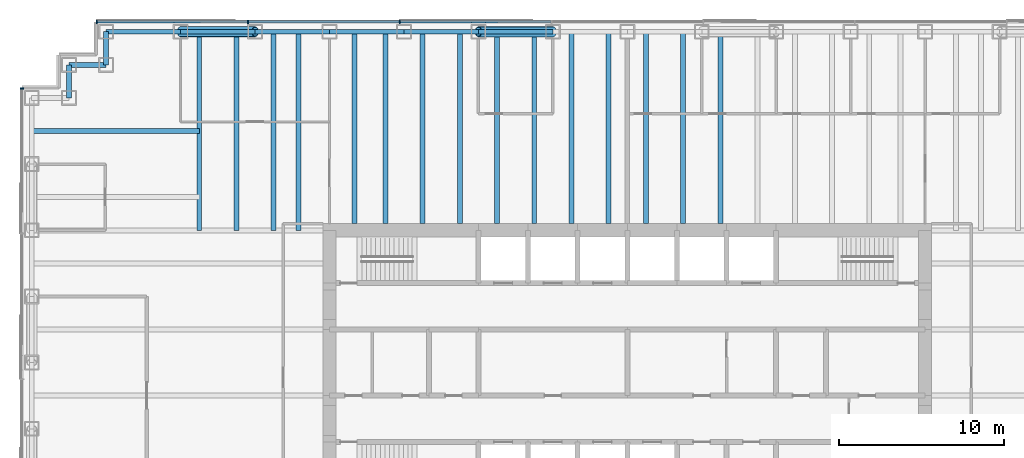
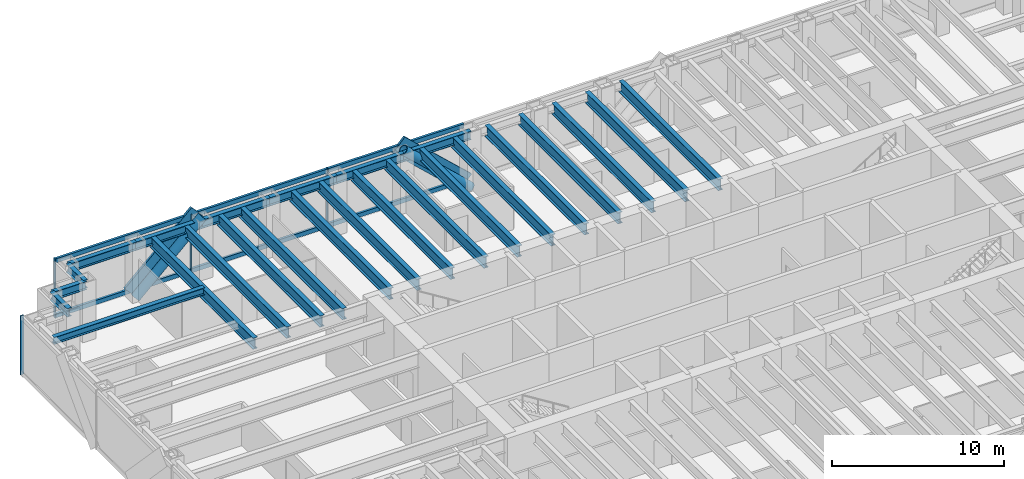
# One storey, part 6 of 15: 25 beams, 14 members, 2 elements without a shape of their own.
"""IFC4 building model written with IfcOpenShell, lengths in metres."""

import ifcopenshell
import ifcopenshell.guid

model = None  # the IFC model being written
_history = None  # IfcOwnerHistory: only IFC2X3 demands one
_inside = {}  # id of a spatial element -> (the spatial element, [elements in it])
_under = {}  # id of a project, library or spatial element -> (it, [spatial elements below it])
_declared = {}  # id of a project -> (the project, [libraries it declares])
_typed = {}  # id of a type object -> (the type object, [elements of that type])
_made_of = {}  # id of a material, layer set ... -> (it, [elements and type objects made of it])


def new_model(schema):
    """Start an empty IFC model of exactly this schema.

    Asked for "IFC4X3", IfcOpenShell would pick the latest addendum, in which some entities
    have other attributes; the version numbers below select the first issue.
    IFC2X3 requires an IfcOwnerHistory on every rooted entity: one is made here for all.
    """
    global model, _history
    if schema == "IFC4X3":
        model = ifcopenshell.file(schema_version=(4, 3, 0, 0))
    else:
        model = ifcopenshell.file(schema=schema)
    _inside.clear()
    _under.clear()
    _declared.clear()
    _typed.clear()
    _made_of.clear()
    _history = None
    if model.schema == "IFC2X3":
        org = make("IfcOrganization", Name="unknown")
        user = make(
            "IfcPersonAndOrganization",
            ThePerson=make("IfcPerson", FamilyName="unknown"),
            TheOrganization=org,
        )
        app = make(
            "IfcApplication",
            ApplicationDeveloper=org,
            Version="unknown",
            ApplicationFullName="unknown",
            ApplicationIdentifier="unknown",
        )
        _history = make(
            "IfcOwnerHistory",
            OwningUser=user,
            OwningApplication=app,
            ChangeAction="ADDED",
            CreationDate=0,
        )
    return model


def make(cls, **values):
    """One entity of the class cls with the attributes given. An attribute that is None is left unset."""
    return model.create_entity(
        cls, **{name: value for name, value in values.items() if value is not None}
    )


def rooted(cls, **values):
    """An entity with a GlobalId (a new one), such as an element, a storey or a relation."""
    return make(cls, GlobalId=ifcopenshell.guid.new(), OwnerHistory=_history, **values)


def si_unit(unit_type, name, prefix=None):
    """IfcSIUnit, for example si_unit("LENGTHUNIT", "METRE", prefix="MILLI")."""
    return make("IfcSIUnit", UnitType=unit_type, Prefix=prefix, Name=name)


def assignment(units):
    """IfcUnitAssignment: the units of a project."""
    return None if units is None else make("IfcUnitAssignment", Units=units)


def point(xyz):
    """IfcCartesianPoint."""
    return None if xyz is None else make("IfcCartesianPoint", Coordinates=xyz)


def direction(xyz):
    """IfcDirection."""
    return None if xyz is None else make("IfcDirection", DirectionRatios=xyz)


def frame(location, z_axis=None, x_axis=None):
    """IfcAxis2Placement3D, a coordinate frame: its origin and axes. An axis left out is left unset."""
    return make(
        "IfcAxis2Placement3D",
        Location=point(location),
        Axis=direction(z_axis),
        RefDirection=direction(x_axis),
    )


def frame_2d(location, x_axis=None):
    """IfcAxis2Placement2D, a coordinate frame in the plane: its origin and x axis."""
    return make(
        "IfcAxis2Placement2D", Location=point(location), RefDirection=direction(x_axis)
    )


def origin():
    """The frame at (0, 0, 0) with its axes left unset."""
    return frame((0.0, 0.0, 0.0))


def origin_2d():
    """The frame at (0, 0) in the plane with its x axis left unset."""
    return frame_2d((0.0, 0.0))


def place(relative_to, where):
    """IfcLocalPlacement: puts the frame where relative to a parent placement (None: the world)."""
    return make(
        "IfcLocalPlacement", PlacementRelTo=relative_to, RelativePlacement=where
    )


def context(
    kind, dimensions, precision=None, world=None, true_north=None, identifier=None
):
    """IfcGeometricRepresentationContext, for example the 3D "Model" context."""
    return make(
        "IfcGeometricRepresentationContext",
        ContextIdentifier=identifier,
        ContextType=kind,
        CoordinateSpaceDimension=dimensions,
        Precision=precision,
        WorldCoordinateSystem=world,
        TrueNorth=true_north,
    )


def subcontext(parent, identifier, kind, view, scale=None):
    """IfcGeometricRepresentationSubContext, for example "Body" below "Model"."""
    return make(
        "IfcGeometricRepresentationSubContext",
        ContextIdentifier=identifier,
        ContextType=kind,
        ParentContext=parent,
        TargetScale=scale,
        TargetView=view,
    )


def project(units=None, contexts=None):
    """IfcProject with its units and contexts."""
    return rooted(
        "IfcProject",
        Name="project",
        RepresentationContexts=contexts,
        UnitsInContext=assignment(units),
    )


def spatial(cls, under=None, at=None, **own):
    """A site, building, storey or space (cls), placed at a placement, below another one or the project."""
    s = rooted(cls, ObjectPlacement=at, **own)
    if under is not None:
        _under.setdefault(under.id(), (under, []))[1].append(s)
    return s


def profile(cls, at=None, kind="AREA", **sizes):
    """A parametric profile (cls). Its sizes go by their IFC names, for example OverallWidth=200.0."""
    return make(cls, ProfileType=kind, Position=at, **sizes)


def rectangle(**sizes):
    """IfcRectangleProfileDef."""
    return profile("IfcRectangleProfileDef", **sizes)


def hollow_circle(**sizes):
    """IfcCircleHollowProfileDef."""
    return profile("IfcCircleHollowProfileDef", **sizes)


def i_section(**sizes):
    """IfcIShapeProfileDef."""
    return profile("IfcIShapeProfileDef", **sizes)


def extrude(swept, where, along, depth):
    """IfcExtrudedAreaSolid: the profile swept, set in the frame where, extruded along a direction by depth."""
    return make(
        "IfcExtrudedAreaSolid",
        SweptArea=swept,
        Position=where,
        ExtrudedDirection=direction(along),
        Depth=depth,
    )


def shape(context_of_items, identifier, shape_type, items):
    """IfcShapeRepresentation: the items that make up one representation, for example the "Body"."""
    return make(
        "IfcShapeRepresentation",
        ContextOfItems=context_of_items,
        RepresentationIdentifier=identifier,
        RepresentationType=shape_type,
        Items=items,
    )


def material(Name=None, Category=None):
    """IfcMaterial."""
    return make("IfcMaterial", Name=Name, Category=Category)


def material_profile(
    of_material, cross_section, Name=None, Category=None, Priority=None
):
    """IfcMaterialProfile: a cross section and its material."""
    return make(
        "IfcMaterialProfile",
        Name=Name,
        Material=of_material,
        Profile=cross_section,
        Priority=Priority,
        Category=Category,
    )


def profile_set(profiles, Name=None, composite=None):
    """IfcMaterialProfileSet."""
    return make(
        "IfcMaterialProfileSet",
        Name=Name,
        MaterialProfiles=profiles,
        CompositeProfile=composite,
    )


def made_of(thing, what):
    """Note that an element or type object is made of a material, layer set ...; save() writes the relation."""
    if what is not None:
        _made_of.setdefault(what.id(), (what, []))[1].append(thing)
    return thing


def type_object(cls, material=None, **own):
    """A type object (cls), such as IfcWallType, which elements share."""
    return made_of(rooted(cls, **own), material)


def element(
    cls,
    number,
    at=None,
    inside=None,
    cuts=None,
    type_object=None,
    material=None,
    context=None,
    identifier="Body",
    shape_type=None,
    held_by="IfcProductDefinitionShape",
    body=None,
    shapes=None,
    **own,
):
    """One element of the class cls, such as IfcWall. Its Tag is "e" and its number.

    at: its placement. inside: the storey or other place that contains it. cuts: it is an
    opening in that element (IfcRelVoidsElement). A single representation is given by context,
    identifier, shape_type and body (its items); several are given by shapes. held_by: the class
    of the entity that holds the representations. save() writes the other relations.
    """
    e = rooted(cls, Tag="e%d" % number, ObjectPlacement=at, **own)
    if body is not None:
        shapes = [shape(context, identifier, shape_type, body)]
    if shapes is not None:
        e.Representation = make(held_by, Representations=shapes)
    if inside is not None:
        _inside.setdefault(inside.id(), (inside, []))[1].append(e)
    if cuts is not None:
        rooted(
            "IfcRelVoidsElement", RelatingBuildingElement=cuts, RelatedOpeningElement=e
        )
    if type_object is not None:
        _typed.setdefault(type_object.id(), (type_object, []))[1].append(e)
    return made_of(e, material)


def aggregate(whole, parts):
    """IfcRelAggregates: a whole, such as a stair, and the parts it consists of."""
    return rooted("IfcRelAggregates", RelatingObject=whole, RelatedObjects=parts)


def save(model, path):
    """Write the relations noted so far, then the file.

    IfcRelAggregates (storeys below a building ...), IfcRelContainedInSpatialStructure (elements
    in a storey), IfcRelDefinesByType, IfcRelAssociatesMaterial and IfcRelDeclares: one each for
    every whole, place, type object, material and project.
    """
    for whole, parts in _under.values():
        aggregate(whole, parts)
    for where, things in _inside.values():
        rooted(
            "IfcRelContainedInSpatialStructure",
            RelatedElements=things,
            RelatingStructure=where,
        )
    for kind, things in _typed.values():
        rooted("IfcRelDefinesByType", RelatedObjects=things, RelatingType=kind)
    for what, things in _made_of.values():
        rooted("IfcRelAssociatesMaterial", RelatedObjects=things, RelatingMaterial=what)
    for by, libraries in _declared.values():
        rooted("IfcRelDeclares", RelatingContext=by, RelatedDefinitions=libraries)
    model.write(path)


model = new_model("IFC4")

# Units and contexts
model_context = context("Model", 3, precision=1e-05, world=origin(), true_north=direction((0.0, 1.0)))
body_context = subcontext(model_context, "Body", "Model", "MODEL_VIEW")
ifc_project = project(units=[si_unit("LENGTHUNIT", "METRE"), si_unit("AREAUNIT", "SQUARE_METRE"), si_unit("VOLUMEUNIT", "CUBIC_METRE"), si_unit("PLANEANGLEUNIT", "RADIAN"), si_unit("MASSUNIT", "GRAM", prefix="KILO")], contexts=[model_context])

# Site, building, storey
site_placement = place(None, origin())
site = spatial("IfcSite", under=ifc_project, at=site_placement, CompositionType="ELEMENT")
building_placement = place(site_placement, origin())
building = spatial("IfcBuilding", under=site, at=building_placement, Name="Rheinbord Bourse Tower", CompositionType="ELEMENT")
storey_placement = place(building_placement, frame((0.0, 0.0, 248.800048828125)))
storey = spatial("IfcBuildingStorey", under=building, at=storey_placement, Name="L56", CompositionType="ELEMENT", Elevation=248.800048828125)

# Curtain wall, members
ifc_material_1 = material(Name="Dark glass and black aluminium", Category="aluminium")
curtain_wall_type = type_object("IfcCurtainWallType", Name="CW2 DARK GLASS CURTAIN WALL", PredefinedType="USERDEFINED", material=ifc_material_1)
curtain_wall_1_placement = place(storey_placement, origin())
curtain_wall_1 = element("IfcCurtainWall", 1, at=curtain_wall_1_placement, inside=storey, type_object=curtain_wall_type, Name="Curtain wall CW2 N L56", ObjectType="UNITISED CURTAIN WALL", PredefinedType="USERDEFINED")
ifc_material_2 = material(Name="Black anodised aluminium", Category="aluminium")
ifc_material_profile_1 = material_profile(ifc_material_2, rectangle(XDim=0.159912109375, YDim=1.2099609375, at=origin_2d()), Name="CW2 DIAGONAL MULLION 1210x160")
ifc_profile_set_1 = profile_set([ifc_material_profile_1], Name="Black anodised aluminium")
member_type_1 = type_object("IfcMemberType", Name="CW2 BLACK DIAGONAL MULLION", PredefinedType="USERDEFINED", material=ifc_profile_set_1)
member_1_placement = place(storey_placement, frame((9.0, 44.60009765625, 0.0), z_axis=(0.73105922506, 0.0, 0.682314010889), x_axis=(0.0, 1.0, 0.0)))
member_1 = element("IfcMember", 2, at=member_1_placement, type_object=member_type_1, Name="CW2 diagonal mullion a", ObjectType="DIAGONAL MULLION", PredefinedType="USERDEFINED", context=body_context, shape_type="SweptSolid", body=[
    extrude(rectangle(XDim=0.159912109375, YDim=1.2099609375, at=origin_2d()), origin(), (0.0, 0.0, 1.0), 6.155517578125),
])
member_2_placement = place(storey_placement, frame((31.5, 44.60009765625, 0.0), z_axis=(-0.73105922506, 0.0, 0.682314010889), x_axis=(0.0, -1.0, 0.0)))
member_2 = element("IfcMember", 3, at=member_2_placement, type_object=member_type_1, Name="CW2 diagonal mullion d", ObjectType="DIAGONAL MULLION", PredefinedType="USERDEFINED", context=body_context, shape_type="SweptSolid", body=[
    extrude(rectangle(XDim=0.159912109375, YDim=1.2099609375, at=origin_2d()), origin(), (0.0, 0.0, 1.0), 6.155517578125),
])
ifc_material_3 = material(Name="Black anodised aluminium", Category="aluminium")
ifc_material_profile_2 = material_profile(ifc_material_3, rectangle(XDim=0.219970703125, YDim=0.070068359375, at=origin_2d()), Name="CW2 MULLION 70x220")
ifc_profile_set_2 = profile_set([ifc_material_profile_2], Name="Black anodised aluminium")
member_type_2 = type_object("IfcMemberType", Name="CW2 BLACK MULLION", PredefinedType="MULLION", material=ifc_profile_set_2)
member_3_placement = place(storey_placement, frame((22.242919921875, 44.60009765625, 0.0), z_axis=(0.0, 0.0, 1.0), x_axis=(0.0, -1.0, 0.0)))
member_3 = element("IfcMember", 4, at=member_3_placement, type_object=member_type_2, Name="CW2 mullion 6", PredefinedType="MULLION", context=body_context, shape_type="SweptSolid", body=[
    extrude(rectangle(XDim=0.219970703125, YDim=0.070068359375, at=origin_2d()), origin(), (0.0, 0.0, 1.0), 4.199951171875),
])
member_4_placement = place(storey_placement, frame((13.071533203125, 44.60009765625, 0.0), z_axis=(0.0, 0.0, 1.0), x_axis=(0.0, -1.0, 0.0)))
member_4 = element("IfcMember", 5, at=member_4_placement, type_object=member_type_2, Name="CW2 mullion 7", PredefinedType="MULLION", context=body_context, shape_type="SweptSolid", body=[
    extrude(rectangle(XDim=0.219970703125, YDim=0.070068359375, at=origin_2d()), origin(), (0.0, 0.0, 1.0), 4.199951171875),
])
member_5_placement = place(storey_placement, frame((3.93505859375, 44.60009765625, 0.0), z_axis=(0.0, 0.0, 1.0), x_axis=(0.0, -1.0, 0.0)))
member_5 = element("IfcMember", 6, at=member_5_placement, type_object=member_type_2, Name="CW2 mullion 8", PredefinedType="MULLION", context=body_context, shape_type="SweptSolid", body=[
    extrude(rectangle(XDim=0.219970703125, YDim=0.070068359375, at=origin_2d()), origin(), (0.0, 0.0, 1.0), 4.199951171875),
])

# Curtain wall, member
curtain_wall_2_placement = place(storey_placement, origin())
curtain_wall_2 = element("IfcCurtainWall", 7, at=curtain_wall_2_placement, inside=storey, type_object=curtain_wall_type, Name="Curtain wall CW2 W L56", ObjectType="UNITISED CURTAIN WALL", PredefinedType="USERDEFINED")
member_6_placement = place(storey_placement, frame((-0.60009765625, 40.56494140625, 0.0), z_axis=(0.0, 0.0, 1.0), x_axis=(1.0, 0.0, 0.0)))
member_6 = element("IfcMember", 8, at=member_6_placement, type_object=member_type_2, Name="CW2 mullion 1", PredefinedType="MULLION", context=body_context, shape_type="SweptSolid", body=[
    extrude(rectangle(XDim=0.219970703125, YDim=0.070068359375, at=origin_2d()), origin(), (0.0, 0.0, 1.0), 4.199951171875),
])
aggregate(curtain_wall_2, [member_6])

# Member
ifc_material_4 = material(Name="Black anodised aluminium", Category="aluminium")
ifc_material_profile_3 = material_profile(ifc_material_4, rectangle(XDim=0.159912109375, YDim=0.300048828125, at=origin_2d()), Name="CW2 TRANSOM 300x160")
ifc_profile_set_3 = profile_set([ifc_material_profile_3], Name="Black anodised aluminium")
member_type_3 = type_object("IfcMemberType", Name="CW2 BLACK TRANSOM", PredefinedType="USERDEFINED", material=ifc_profile_set_3)
member_7_placement = place(storey_placement, frame((31.37939453125, 44.60009765625, 0.14990234375), z_axis=(-1.0, 0.0, 0.0), x_axis=(0.0, -1.0, 0.0)))
member_7 = element("IfcMember", 9, at=member_7_placement, type_object=member_type_3, Name="CW2 transom 5.1", ObjectType="TRANSOM", PredefinedType="USERDEFINED", context=body_context, shape_type="SweptSolid", body=[
    extrude(rectangle(XDim=0.159912109375, YDim=0.300048828125, at=origin_2d()), origin(), (0.0, 0.0, 1.0), 9.1015625),
])

member_8_placement = place(storey_placement, frame((31.37939453125, 44.60009765625, 4.050048828125), z_axis=(-1.0, 0.0, 0.0), x_axis=(0.0, -1.0, 0.0)))
member_8 = element("IfcMember", 10, at=member_8_placement, type_object=member_type_3, Name="CW2 transom 5.2", ObjectType="TRANSOM", PredefinedType="USERDEFINED", context=body_context, shape_type="SweptSolid", body=[
    extrude(rectangle(XDim=0.159912109375, YDim=0.300048828125, at=origin_2d()), origin(), (0.0, 0.0, 1.0), 9.1015625),
])

member_9_placement = place(storey_placement, frame((22.207763671875, 44.60009765625, 0.14990234375), z_axis=(-1.0, 0.0, 0.0), x_axis=(0.0, -1.0, 0.0)))
member_9 = element("IfcMember", 11, at=member_9_placement, type_object=member_type_3, Name="CW2 transom 6.1", ObjectType="TRANSOM", PredefinedType="USERDEFINED", context=body_context, shape_type="SweptSolid", body=[
    extrude(rectangle(XDim=0.159912109375, YDim=0.300048828125, at=origin_2d()), origin(), (0.0, 0.0, 1.0), 9.101318359375),
])

member_10_placement = place(storey_placement, frame((22.207763671875, 44.60009765625, 4.050048828125), z_axis=(-1.0, 0.0, 0.0), x_axis=(0.0, -1.0, 0.0)))
member_10 = element("IfcMember", 12, at=member_10_placement, type_object=member_type_3, Name="CW2 transom 6.2", ObjectType="TRANSOM", PredefinedType="USERDEFINED", context=body_context, shape_type="SweptSolid", body=[
    extrude(rectangle(XDim=0.159912109375, YDim=0.300048828125, at=origin_2d()), origin(), (0.0, 0.0, 1.0), 9.101318359375),
])

member_11_placement = place(storey_placement, frame((13.036376953125, 44.60009765625, 0.14990234375), z_axis=(-1.0, 0.0, 0.0), x_axis=(0.0, -1.0, 0.0)))
member_11 = element("IfcMember", 13, at=member_11_placement, type_object=member_type_3, Name="CW2 transom 7.1", ObjectType="TRANSOM", PredefinedType="USERDEFINED", context=body_context, shape_type="SweptSolid", body=[
    extrude(rectangle(XDim=0.159912109375, YDim=0.300048828125, at=origin_2d()), origin(), (0.0, 0.0, 1.0), 9.06640625),
])

member_12_placement = place(storey_placement, frame((13.036376953125, 44.60009765625, 4.050048828125), z_axis=(-1.0, 0.0, 0.0), x_axis=(0.0, -1.0, 0.0)))
member_12 = element("IfcMember", 14, at=member_12_placement, type_object=member_type_3, Name="CW2 transom 7.2", ObjectType="TRANSOM", PredefinedType="USERDEFINED", context=body_context, shape_type="SweptSolid", body=[
    extrude(rectangle(XDim=0.159912109375, YDim=0.300048828125, at=origin_2d()), origin(), (0.0, 0.0, 1.0), 9.06640625),
])

aggregate(curtain_wall_1, [member_3, member_4, member_5, member_7, member_8, member_9, member_10, member_11, member_12, member_1, member_2])

# Beams
ifc_material_5 = material(Name="Steel S460", Category="steel")
ifc_material_profile_4 = material_profile(ifc_material_5, i_section(OverallWidth=0.300048828125, OverallDepth=0.800048828125, WebThickness=0.017578125, FlangeThickness=0.032958984375, at=origin_2d()), Name="HEB 800")
ifc_profile_set_4 = profile_set([ifc_material_profile_4], Name="Steel S460")
beam_type_1 = type_object("IfcBeamType", Name="FLOOR BEAM HEB 800", PredefinedType="BEAM", material=ifc_profile_set_4)
for number, where, z_axis, x_axis, name in (
    (15, (10.125, 44.0, 3.639892578125), (0.0, -1.0, 0.0), (1.0, 0.0, 0.0), "Floor beam N-9a L57"),
    (16, (12.375, 44.0, 3.639892578125), (0.0, -1.0, 0.0), (1.0, 0.0, 0.0), "Floor beam N-9b L57"),
    (17, (14.625, 44.0, 3.639892578125), (0.0, -1.0, 0.0), (1.0, 0.0, 0.0), "Floor beam N-13.5a L57"),
    (18, (16.125, 44.0, 3.639892578125), (0.0, -1.0, 0.0), (1.0, 0.0, 0.0), "Floor beam N-13.5b L57"),
):
    element("IfcBeam", number, at=place(storey_placement, frame(where, z_axis=z_axis, x_axis=x_axis)), inside=storey, type_object=beam_type_1, Name=name, PredefinedType="BEAM", context=body_context, shape_type="SweptSolid", body=[
        extrude(i_section(OverallWidth=0.300048828125, OverallDepth=0.800048828125, WebThickness=0.017578125, FlangeThickness=0.032958984375, at=origin_2d()), origin(), (0.0, 0.0, 1.0), 12.0),
    ])
for number, where, z_axis, x_axis, name in (
    (19, (19.5, 44.0, 3.639892578125), (0.0, -1.0, 0.0), (1.0, 0.0, 0.0), "Floor beam N-18a L57"),
    (20, (21.375, 44.0, 3.639892578125), (0.0, -1.0, 0.0), (1.0, 0.0, 0.0), "Floor beam N-18b L57"),
    (21, (23.625, 44.0, 3.639892578125), (0.0, -1.0, 0.0), (1.0, 0.0, 0.0), "Floor beam N-22.5a L57"),
    (22, (25.875, 44.0, 3.639892578125), (0.0, -1.0, 0.0), (1.0, 0.0, 0.0), "Floor beam N-22.5b L57"),
    (23, (28.125, 44.0, 3.639892578125), (0.0, -1.0, 0.0), (1.0, 0.0, 0.0), "Floor beam N-27a L57"),
    (24, (30.375, 44.0, 3.639892578125), (0.0, -1.0, 0.0), (1.0, 0.0, 0.0), "Floor beam N-27b L57"),
    (25, (32.625, 44.0, 3.639892578125), (0.0, -1.0, 0.0), (1.0, 0.0, 0.0), "Floor beam N-31.5a L57"),
    (26, (34.875, 44.0, 3.639892578125), (0.0, -1.0, 0.0), (1.0, 0.0, 0.0), "Floor beam N-31.5b L57"),
    (27, (37.125, 44.0, 3.639892578125), (0.0, -1.0, 0.0), (1.0, 0.0, 0.0), "Floor beam N-36a L57"),
    (28, (39.375, 44.0, 3.639892578125), (0.0, -1.0, 0.0), (1.0, 0.0, 0.0), "Floor beam N-36b L57"),
    (29, (41.625, 44.0, 3.639892578125), (0.0, -1.0, 0.0), (1.0, 0.0, 0.0), "Floor beam N-40.5a L57"),
):
    element("IfcBeam", number, at=place(storey_placement, frame(where, z_axis=z_axis, x_axis=x_axis)), inside=storey, type_object=beam_type_1, Name=name, PredefinedType="BEAM", context=body_context, shape_type="SweptSolid", body=[
        extrude(i_section(OverallWidth=0.300048828125, OverallDepth=0.800048828125, WebThickness=0.017578125, FlangeThickness=0.032958984375, at=origin_2d()), origin(), (0.0, 0.0, 1.0), 11.60009765625),
    ])

# Members
ifc_material_6 = material(Name="Steel S460", Category="steel")
ifc_material_profile_5 = material_profile(ifc_material_6, hollow_circle(Radius=0.304931640625, WallThickness=0.0400390625, at=origin_2d()), Name="CHS 610x40")
ifc_profile_set_5 = profile_set([ifc_material_profile_5], Name="Steel S460")
member_type_4 = type_object("IfcMemberType", Name="MEGABRACE CHS 610x40", PredefinedType="BRACE", material=ifc_profile_set_5)
for number, where, z_axis, x_axis, name in (
    (30, (9.0, 44.0, 0.0), (0.73105922506, 0.0, 0.682314010889), (0.0, 1.0, 0.0), "Megabrace N face line a L56"),
    (31, (31.5, 44.0, 0.0), (-0.73105922506, 0.0, 0.682314010889), (0.0, -1.0, 0.0), "Megabrace N face line d L56"),
):
    element("IfcMember", number, at=place(storey_placement, frame(where, z_axis=z_axis, x_axis=x_axis)), inside=storey, type_object=member_type_4, Name=name, PredefinedType="BRACE", context=body_context, shape_type="SweptSolid", body=[
        extrude(hollow_circle(Radius=0.304931640625, WallThickness=0.0400390625, at=origin_2d()), origin(), (0.0, 0.0, 1.0), 6.155517578125),
    ])

# Beams
ifc_material_7 = material(Name="Steel S460", Category="steel")
ifc_material_profile_6 = material_profile(ifc_material_7, i_section(OverallWidth=0.300048828125, OverallDepth=0.60009765625, WebThickness=0.015380859375, FlangeThickness=0.030029296875, at=origin_2d()), Name="HEB 600")
ifc_profile_set_6 = profile_set([ifc_material_profile_6], Name="Steel S460")
beam_type_2 = type_object("IfcBeamType", Name="SPANDREL HEB 600", PredefinedType="SPANDREL", material=ifc_profile_set_6)
for number, where, z_axis, x_axis, name in (
    (32, (31.5, 44.0, 3.739990234375), (-1.0, 0.0, 0.0), (0.0, -1.0, 0.0), "Spandrel N-31.5-N-27 under L57"),
    (33, (27.0, 44.0, 3.739990234375), (-1.0, 0.0, 0.0), (0.0, -1.0, 0.0), "Spandrel N-27-N-22.5 under L57"),
    (34, (22.5, 44.0, 3.739990234375), (-1.0, 0.0, 0.0), (0.0, -1.0, 0.0), "Spandrel N-22.5-N-18 under L57"),
    (35, (18.0, 44.0, 3.739990234375), (-1.0, 0.0, 0.0), (0.0, -1.0, 0.0), "Spandrel N-18-N-13.5 under L57"),
    (36, (13.5, 44.0, 3.739990234375), (-1.0, 0.0, 0.0), (0.0, -1.0, 0.0), "Spandrel N-13.5-N-9 under L57"),
    (37, (9.0, 44.0, 3.739990234375), (-1.0, 0.0, 0.0), (0.0, -1.0, 0.0), "Spandrel N-9-NW-E under L57"),
):
    element("IfcBeam", number, at=place(storey_placement, frame(where, z_axis=z_axis, x_axis=x_axis)), inside=storey, type_object=beam_type_2, Name=name, PredefinedType="SPANDREL", context=body_context, shape_type="SweptSolid", body=[
        extrude(i_section(OverallWidth=0.300048828125, OverallDepth=0.60009765625, WebThickness=0.015380859375, FlangeThickness=0.030029296875, at=origin_2d()), origin(), (0.0, 0.0, 1.0), 4.5),
    ])
beam_1_placement = place(storey_placement, frame((4.5, 44.0, 3.739990234375), z_axis=(0.0, -1.0, 0.0), x_axis=(1.0, 0.0, 0.0)))
element("IfcBeam", 38, at=beam_1_placement, inside=storey, type_object=beam_type_2, Name="Spandrel NW-E-NW-D under L57", PredefinedType="SPANDREL", context=body_context, shape_type="SweptSolid", body=[
    extrude(i_section(OverallWidth=0.300048828125, OverallDepth=0.60009765625, WebThickness=0.015380859375, FlangeThickness=0.030029296875, at=origin_2d()), origin(), (0.0, 0.0, 1.0), 2.0),
])
beam_2_placement = place(storey_placement, frame((4.5, 42.0, 3.739990234375), z_axis=(-1.0, 0.0, 0.0), x_axis=(0.0, -1.0, 0.0)))
element("IfcBeam", 39, at=beam_2_placement, inside=storey, type_object=beam_type_2, Name="Spandrel NW-D-NW-C under L57", PredefinedType="SPANDREL", context=body_context, shape_type="SweptSolid", body=[
    extrude(i_section(OverallWidth=0.300048828125, OverallDepth=0.60009765625, WebThickness=0.015380859375, FlangeThickness=0.030029296875, at=origin_2d()), origin(), (0.0, 0.0, 1.0), 2.25),
])
beam_3_placement = place(storey_placement, frame((2.25, 42.0, 3.739990234375), z_axis=(0.0, -1.0, 0.0), x_axis=(1.0, 0.0, 0.0)))
element("IfcBeam", 40, at=beam_3_placement, inside=storey, type_object=beam_type_2, Name="Spandrel NW-C-NW-B under L57", PredefinedType="SPANDREL", context=body_context, shape_type="SweptSolid", body=[
    extrude(i_section(OverallWidth=0.300048828125, OverallDepth=0.60009765625, WebThickness=0.015380859375, FlangeThickness=0.030029296875, at=origin_2d()), origin(), (0.0, 0.0, 1.0), 2.0),
])
ifc_material_8 = material(Name="Steel S460", Category="steel")
ifc_material_profile_7 = material_profile(ifc_material_8, i_section(OverallWidth=0.300048828125, OverallDepth=0.5, WebThickness=0.014404296875, FlangeThickness=0.028076171875, at=origin_2d()), Name="HEB 500")
ifc_profile_set_7 = profile_set([ifc_material_profile_7], Name="Steel S460")
beam_type_3 = type_object("IfcBeamType", Name="TIE BEAM HEB 500", PredefinedType="JOIST", material=ifc_profile_set_7)
beam_4_placement = place(storey_placement, frame((0.0, 38.0, 3.7900390625), z_axis=(1.0, 0.0, 0.0), x_axis=(0.0, 1.0, 0.0)))
element("IfcBeam", 41, at=beam_4_placement, inside=storey, type_object=beam_type_3, Name="Tie west 38 L57", PredefinedType="JOIST", context=body_context, shape_type="SweptSolid", body=[
    extrude(i_section(OverallWidth=0.300048828125, OverallDepth=0.5, WebThickness=0.014404296875, FlangeThickness=0.028076171875, at=origin_2d()), origin(), (0.0, 0.0, 1.0), 10.125),
])

save(model, "model.ifc")
